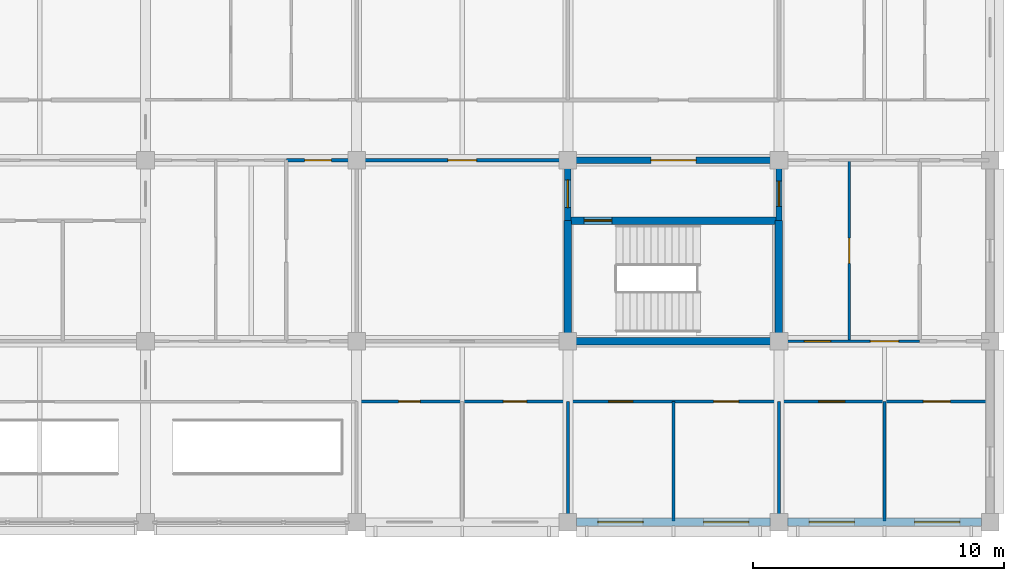
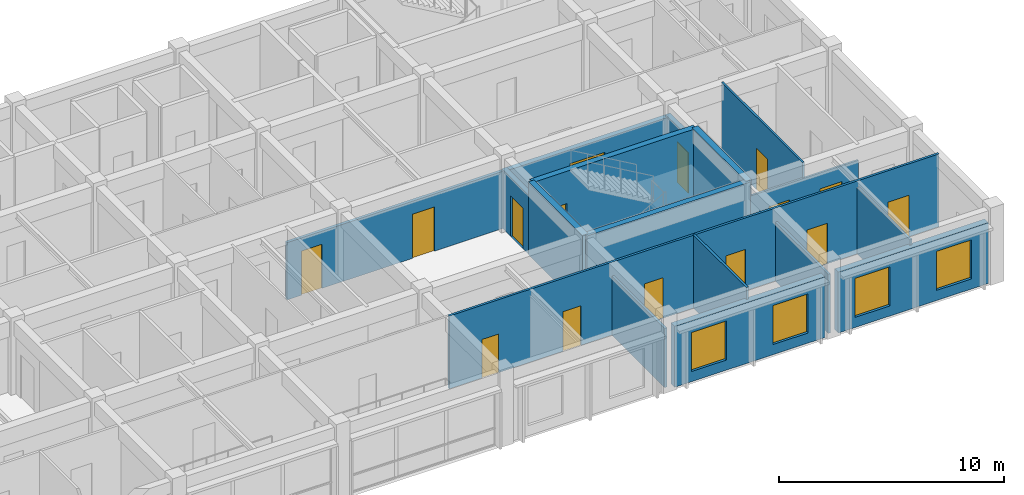
# One storey, part 12 of 17: 17 walls, 15 doors, 4 windows, 19 openings.
"""IFC4 building model written with IfcOpenShell, lengths in metres."""

import ifcopenshell
import ifcopenshell.guid

model = None  # the IFC model being written
_history = None  # IfcOwnerHistory: only IFC2X3 demands one
_inside = {}  # id of a spatial element -> (the spatial element, [elements in it])
_under = {}  # id of a project, library or spatial element -> (it, [spatial elements below it])
_declared = {}  # id of a project -> (the project, [libraries it declares])
_typed = {}  # id of a type object -> (the type object, [elements of that type])
_made_of = {}  # id of a material, layer set ... -> (it, [elements and type objects made of it])


def new_model(schema):
    """Start an empty IFC model of exactly this schema.

    Asked for "IFC4X3", IfcOpenShell would pick the latest addendum, in which some entities
    have other attributes; the version numbers below select the first issue.
    IFC2X3 requires an IfcOwnerHistory on every rooted entity: one is made here for all.
    """
    global model, _history
    if schema == "IFC4X3":
        model = ifcopenshell.file(schema_version=(4, 3, 0, 0))
    else:
        model = ifcopenshell.file(schema=schema)
    _inside.clear()
    _under.clear()
    _declared.clear()
    _typed.clear()
    _made_of.clear()
    _history = None
    if model.schema == "IFC2X3":
        org = make("IfcOrganization", Name="unknown")
        user = make(
            "IfcPersonAndOrganization",
            ThePerson=make("IfcPerson", FamilyName="unknown"),
            TheOrganization=org,
        )
        app = make(
            "IfcApplication",
            ApplicationDeveloper=org,
            Version="unknown",
            ApplicationFullName="unknown",
            ApplicationIdentifier="unknown",
        )
        _history = make(
            "IfcOwnerHistory",
            OwningUser=user,
            OwningApplication=app,
            ChangeAction="ADDED",
            CreationDate=0,
        )
    return model


def make(cls, **values):
    """One entity of the class cls with the attributes given. An attribute that is None is left unset."""
    return model.create_entity(
        cls, **{name: value for name, value in values.items() if value is not None}
    )


def rooted(cls, **values):
    """An entity with a GlobalId (a new one), such as an element, a storey or a relation."""
    return make(cls, GlobalId=ifcopenshell.guid.new(), OwnerHistory=_history, **values)


def si_unit(unit_type, name, prefix=None):
    """IfcSIUnit, for example si_unit("LENGTHUNIT", "METRE", prefix="MILLI")."""
    return make("IfcSIUnit", UnitType=unit_type, Prefix=prefix, Name=name)


def assignment(units):
    """IfcUnitAssignment: the units of a project."""
    return None if units is None else make("IfcUnitAssignment", Units=units)


def point(xyz):
    """IfcCartesianPoint."""
    return None if xyz is None else make("IfcCartesianPoint", Coordinates=xyz)


def direction(xyz):
    """IfcDirection."""
    return None if xyz is None else make("IfcDirection", DirectionRatios=xyz)


def frame(location, z_axis=None, x_axis=None):
    """IfcAxis2Placement3D, a coordinate frame: its origin and axes. An axis left out is left unset."""
    return make(
        "IfcAxis2Placement3D",
        Location=point(location),
        Axis=direction(z_axis),
        RefDirection=direction(x_axis),
    )


def frame_2d(location, x_axis=None):
    """IfcAxis2Placement2D, a coordinate frame in the plane: its origin and x axis."""
    return make(
        "IfcAxis2Placement2D", Location=point(location), RefDirection=direction(x_axis)
    )


def origin():
    """The frame at (0, 0, 0) with its axes left unset."""
    return frame((0.0, 0.0, 0.0))


def place(relative_to, where):
    """IfcLocalPlacement: puts the frame where relative to a parent placement (None: the world)."""
    return make(
        "IfcLocalPlacement", PlacementRelTo=relative_to, RelativePlacement=where
    )


def context(
    kind, dimensions, precision=None, world=None, true_north=None, identifier=None
):
    """IfcGeometricRepresentationContext, for example the 3D "Model" context."""
    return make(
        "IfcGeometricRepresentationContext",
        ContextIdentifier=identifier,
        ContextType=kind,
        CoordinateSpaceDimension=dimensions,
        Precision=precision,
        WorldCoordinateSystem=world,
        TrueNorth=true_north,
    )


def subcontext(parent, identifier, kind, view, scale=None):
    """IfcGeometricRepresentationSubContext, for example "Body" below "Model"."""
    return make(
        "IfcGeometricRepresentationSubContext",
        ContextIdentifier=identifier,
        ContextType=kind,
        ParentContext=parent,
        TargetScale=scale,
        TargetView=view,
    )


def project(units=None, contexts=None):
    """IfcProject with its units and contexts."""
    return rooted(
        "IfcProject",
        Name="project",
        RepresentationContexts=contexts,
        UnitsInContext=assignment(units),
    )


def spatial(cls, under=None, at=None, **own):
    """A site, building, storey or space (cls), placed at a placement, below another one or the project."""
    s = rooted(cls, ObjectPlacement=at, **own)
    if under is not None:
        _under.setdefault(under.id(), (under, []))[1].append(s)
    return s


def profile(cls, at=None, kind="AREA", **sizes):
    """A parametric profile (cls). Its sizes go by their IFC names, for example OverallWidth=200.0."""
    return make(cls, ProfileType=kind, Position=at, **sizes)


def rectangle(**sizes):
    """IfcRectangleProfileDef."""
    return profile("IfcRectangleProfileDef", **sizes)


def extrude(swept, where, along, depth):
    """IfcExtrudedAreaSolid: the profile swept, set in the frame where, extruded along a direction by depth."""
    return make(
        "IfcExtrudedAreaSolid",
        SweptArea=swept,
        Position=where,
        ExtrudedDirection=direction(along),
        Depth=depth,
    )


def shape(context_of_items, identifier, shape_type, items):
    """IfcShapeRepresentation: the items that make up one representation, for example the "Body"."""
    return make(
        "IfcShapeRepresentation",
        ContextOfItems=context_of_items,
        RepresentationIdentifier=identifier,
        RepresentationType=shape_type,
        Items=items,
    )


def material(Name=None, Category=None):
    """IfcMaterial."""
    return make("IfcMaterial", Name=Name, Category=Category)


def layer(
    of_material, thickness, ventilated=None, Name=None, Category=None, Priority=None
):
    """IfcMaterialLayer: one layer of a wall or slab, of a material (None: an air gap)."""
    return make(
        "IfcMaterialLayer",
        Material=of_material,
        LayerThickness=thickness,
        IsVentilated=ventilated,
        Name=Name,
        Category=Category,
        Priority=Priority,
    )


def layer_set(layers, Name=None):
    """IfcMaterialLayerSet."""
    return make("IfcMaterialLayerSet", MaterialLayers=layers, LayerSetName=Name)


def made_of(thing, what):
    """Note that an element or type object is made of a material, layer set ...; save() writes the relation."""
    if what is not None:
        _made_of.setdefault(what.id(), (what, []))[1].append(thing)
    return thing


def type_object(cls, material=None, **own):
    """A type object (cls), such as IfcWallType, which elements share."""
    return made_of(rooted(cls, **own), material)


def element(
    cls,
    number,
    at=None,
    inside=None,
    cuts=None,
    type_object=None,
    material=None,
    context=None,
    identifier="Body",
    shape_type=None,
    held_by="IfcProductDefinitionShape",
    body=None,
    shapes=None,
    **own,
):
    """One element of the class cls, such as IfcWall. Its Tag is "e" and its number.

    at: its placement. inside: the storey or other place that contains it. cuts: it is an
    opening in that element (IfcRelVoidsElement). A single representation is given by context,
    identifier, shape_type and body (its items); several are given by shapes. held_by: the class
    of the entity that holds the representations. save() writes the other relations.
    """
    e = rooted(cls, Tag="e%d" % number, ObjectPlacement=at, **own)
    if body is not None:
        shapes = [shape(context, identifier, shape_type, body)]
    if shapes is not None:
        e.Representation = make(held_by, Representations=shapes)
    if inside is not None:
        _inside.setdefault(inside.id(), (inside, []))[1].append(e)
    if cuts is not None:
        rooted(
            "IfcRelVoidsElement", RelatingBuildingElement=cuts, RelatedOpeningElement=e
        )
    if type_object is not None:
        _typed.setdefault(type_object.id(), (type_object, []))[1].append(e)
    return made_of(e, material)


def fill(opening, filler):
    """IfcRelFillsElement: the door or window that sits in an opening."""
    return rooted(
        "IfcRelFillsElement",
        RelatingOpeningElement=opening,
        RelatedBuildingElement=filler,
    )


def aggregate(whole, parts):
    """IfcRelAggregates: a whole, such as a stair, and the parts it consists of."""
    return rooted("IfcRelAggregates", RelatingObject=whole, RelatedObjects=parts)


def save(model, path):
    """Write the relations noted so far, then the file.

    IfcRelAggregates (storeys below a building ...), IfcRelContainedInSpatialStructure (elements
    in a storey), IfcRelDefinesByType, IfcRelAssociatesMaterial and IfcRelDeclares: one each for
    every whole, place, type object, material and project.
    """
    for whole, parts in _under.values():
        aggregate(whole, parts)
    for where, things in _inside.values():
        rooted(
            "IfcRelContainedInSpatialStructure",
            RelatedElements=things,
            RelatingStructure=where,
        )
    for kind, things in _typed.values():
        rooted("IfcRelDefinesByType", RelatedObjects=things, RelatingType=kind)
    for what, things in _made_of.values():
        rooted("IfcRelAssociatesMaterial", RelatedObjects=things, RelatingMaterial=what)
    for by, libraries in _declared.values():
        rooted("IfcRelDeclares", RelatingContext=by, RelatedDefinitions=libraries)
    model.write(path)


model = new_model("IFC4")

# Units and contexts
model_context = context("Model", 3, precision=1e-05, world=origin(), true_north=direction((0.0, 1.0)))
body_context = subcontext(model_context, "Body", "Model", "MODEL_VIEW")
ifc_project = project(units=[si_unit("LENGTHUNIT", "METRE"), si_unit("AREAUNIT", "SQUARE_METRE"), si_unit("VOLUMEUNIT", "CUBIC_METRE"), si_unit("PLANEANGLEUNIT", "RADIAN"), si_unit("MASSUNIT", "GRAM", prefix="KILO")], contexts=[model_context])

# Site, building, storey
site_placement = place(None, origin())
site = spatial("IfcSite", under=ifc_project, at=site_placement, CompositionType="ELEMENT")
building_placement = place(site_placement, origin())
building = spatial("IfcBuilding", under=site, at=building_placement, Name="Chengyuan Square Courthouse", CompositionType="ELEMENT")
storey_placement = place(building_placement, frame((0.0, 0.0, 51.89990234375)))
storey = spatial("IfcBuildingStorey", under=building, at=storey_placement, Name="L12", CompositionType="ELEMENT", Elevation=51.89990234375)

# Wall, openings, windows
ifc_material_1 = material(Name="Concrete C40", Category="concrete")
ifc_layer_1 = layer(ifc_material_1, 0.320068359375)
ifc_layer_set_1 = layer_set([ifc_layer_1], Name="Concrete C40")
wall_type_1 = type_object("IfcWallType", Name="WL-EW3", PredefinedType="STANDARD", material=ifc_layer_set_1)
wall_1_placement = place(storey_placement, frame((101.14501953125, 79.199951171875, 0.0), z_axis=(0.0, 0.0, 1.0), x_axis=(1.0, 0.0, 0.0)))
wall_1 = element("IfcWall", 1, at=wall_1_placement, inside=storey, type_object=wall_type_1, Name="Exterior Wall WL-L12-E480", PredefinedType="STANDARD", context=body_context, shape_type="SweptSolid", body=[
    extrude(rectangle(XDim=7.7099609375, YDim=0.320068359375, at=frame_2d((3.85498046875, 0.0))), origin(), (0.0, 0.0, 1.0), 3.31005859375),
])
opening_1_placement = place(wall_1_placement, frame((0.85498046875, 0.0, 0.550048828125)))
opening_1 = element("IfcOpeningElement", 2, at=opening_1_placement, cuts=wall_1, Name="Opening WN-211", PredefinedType="OPENING", context=body_context, shape_type="SweptSolid", body=[
    extrude(rectangle(XDim=1.800048828125, YDim=2.1201171875, at=frame_2d((0.89990234375, 1.06005859375))), frame((0.0, 0.172119140625, 0.0), z_axis=(0.0, -1.0, 0.0), x_axis=(1.0, 0.0, 0.0)), (0.0, 0.0, 1.0), 0.343994140625),
])
opening_2_placement = place(wall_1_placement, frame((5.054931640625, 0.0, 0.550048828125)))
opening_2 = element("IfcOpeningElement", 3, at=opening_2_placement, cuts=wall_1, Name="Opening WN-212", PredefinedType="OPENING", context=body_context, shape_type="SweptSolid", body=[
    extrude(rectangle(XDim=1.800048828125, YDim=2.1201171875, at=frame_2d((0.89990234375, 1.06005859375))), frame((0.0, 0.172119140625, 0.0), z_axis=(0.0, -1.0, 0.0), x_axis=(1.0, 0.0, 0.0)), (0.0, 0.0, 1.0), 0.343994140625),
])
ifc_material_2 = material(Name="Thermally Broken Aluminium Triple Low-E Window", Category="aluminium")
window_type = type_object("IfcWindowType", Name="WT-36", PartitioningType="SINGLE_PANEL", PredefinedType="WINDOW", material=ifc_material_2)
window_1_placement = place(opening_1_placement, origin())
window_1 = element("IfcWindow", 4, at=window_1_placement, inside=storey, type_object=window_type, Name="Facade Window WN-211", OverallHeight=2.1201171875, OverallWidth=1.800048828125, PartitioningType="SINGLE_PANEL", PredefinedType="WINDOW", context=body_context, shape_type="SweptSolid", body=[
    extrude(rectangle(XDim=1.800048828125, YDim=2.1201171875, at=frame_2d((0.89990234375, 1.06005859375))), frame((0.0, 0.030029296875, 0.0), z_axis=(0.0, -1.0, 0.0), x_axis=(1.0, 0.0, 0.0)), (0.0, 0.0, 1.0), 0.06005859375),
])
fill(opening_1, window_1)
window_2_placement = place(opening_2_placement, origin())
window_2 = element("IfcWindow", 5, at=window_2_placement, inside=storey, type_object=window_type, Name="Facade Window WN-212", OverallHeight=2.1201171875, OverallWidth=1.800048828125, PartitioningType="SINGLE_PANEL", PredefinedType="WINDOW", context=body_context, shape_type="SweptSolid", body=[
    extrude(rectangle(XDim=1.800048828125, YDim=2.1201171875, at=frame_2d((0.89990234375, 1.06005859375))), frame((0.0, 0.030029296875, 0.0), z_axis=(0.0, -1.0, 0.0), x_axis=(1.0, 0.0, 0.0)), (0.0, 0.0, 1.0), 0.06005859375),
])
fill(opening_2, window_2)

wall_2_placement = place(storey_placement, frame((109.544921875, 79.199951171875, 0.0), z_axis=(0.0, 0.0, 1.0), x_axis=(1.0, 0.0, 0.0)))
wall_2 = element("IfcWall", 6, at=wall_2_placement, inside=storey, type_object=wall_type_1, Name="Exterior Wall WL-L12-E482", PredefinedType="STANDARD", context=body_context, shape_type="SweptSolid", body=[
    extrude(rectangle(XDim=7.7099609375, YDim=0.320068359375, at=frame_2d((3.85498046875, 0.0))), origin(), (0.0, 0.0, 1.0), 3.31005859375),
])
opening_3_placement = place(wall_2_placement, frame((0.85498046875, 0.0, 0.550048828125)))
opening_3 = element("IfcOpeningElement", 7, at=opening_3_placement, cuts=wall_2, Name="Opening WN-213", PredefinedType="OPENING", context=body_context, shape_type="SweptSolid", body=[
    extrude(rectangle(XDim=1.800048828125, YDim=2.1201171875, at=frame_2d((0.89990234375, 1.06005859375))), frame((0.0, 0.172119140625, 0.0), z_axis=(0.0, -1.0, 0.0), x_axis=(1.0, 0.0, 0.0)), (0.0, 0.0, 1.0), 0.343994140625),
])
opening_4_placement = place(wall_2_placement, frame((5.054931640625, 0.0, 0.550048828125)))
opening_4 = element("IfcOpeningElement", 8, at=opening_4_placement, cuts=wall_2, Name="Opening WN-214", PredefinedType="OPENING", context=body_context, shape_type="SweptSolid", body=[
    extrude(rectangle(XDim=1.800048828125, YDim=2.1201171875, at=frame_2d((0.89990234375, 1.06005859375))), frame((0.0, 0.172119140625, 0.0), z_axis=(0.0, -1.0, 0.0), x_axis=(1.0, 0.0, 0.0)), (0.0, 0.0, 1.0), 0.343994140625),
])
window_3_placement = place(opening_3_placement, origin())
window_3 = element("IfcWindow", 9, at=window_3_placement, inside=storey, type_object=window_type, Name="Facade Window WN-213", OverallHeight=2.1201171875, OverallWidth=1.800048828125, PartitioningType="SINGLE_PANEL", PredefinedType="WINDOW", context=body_context, shape_type="SweptSolid", body=[
    extrude(rectangle(XDim=1.800048828125, YDim=2.1201171875, at=frame_2d((0.89990234375, 1.06005859375))), frame((0.0, 0.030029296875, 0.0), z_axis=(0.0, -1.0, 0.0), x_axis=(1.0, 0.0, 0.0)), (0.0, 0.0, 1.0), 0.06005859375),
])
fill(opening_3, window_3)
window_4_placement = place(opening_4_placement, origin())
window_4 = element("IfcWindow", 10, at=window_4_placement, inside=storey, type_object=window_type, Name="Facade Window WN-214", OverallHeight=2.1201171875, OverallWidth=1.800048828125, PartitioningType="SINGLE_PANEL", PredefinedType="WINDOW", context=body_context, shape_type="SweptSolid", body=[
    extrude(rectangle(XDim=1.800048828125, YDim=2.1201171875, at=frame_2d((0.89990234375, 1.06005859375))), frame((0.0, 0.030029296875, 0.0), z_axis=(0.0, -1.0, 0.0), x_axis=(1.0, 0.0, 0.0)), (0.0, 0.0, 1.0), 0.06005859375),
])
fill(opening_4, window_4)

# Wall, opening, door
ifc_layer_2 = layer(ifc_material_1, 0.25)
ifc_layer_set_2 = layer_set([ifc_layer_2], Name="Concrete C40")
wall_type_2 = type_object("IfcWallType", Name="WL-FW1", PredefinedType="STANDARD", material=ifc_layer_set_2)
wall_3_placement = place(storey_placement, frame((100.800048828125, 93.60009765625, 0.0), z_axis=(0.0, 0.0, 1.0), x_axis=(1.0, 0.0, 0.0)))
wall_3 = element("IfcWall", 11, at=wall_3_placement, inside=storey, type_object=wall_type_2, Name="Interior Wall WL-L12-I3659", PredefinedType="STANDARD", context=body_context, shape_type="SweptSolid", body=[
    extrude(rectangle(XDim=8.39990234375, YDim=0.25, at=frame_2d((4.199951171875, 0.0))), origin(), (0.0, 0.0, 1.0), 3.110107421875),
])
opening_5_placement = place(wall_3_placement, frame((3.300048828125, 0.0, 0.0)))
opening_5 = element("IfcOpeningElement", 12, at=opening_5_placement, cuts=wall_3, Name="Opening DR-3029", PredefinedType="OPENING", context=body_context, shape_type="SweptSolid", body=[
    extrude(rectangle(XDim=1.800048828125, YDim=2.35009765625, at=frame_2d((0.89990234375, 1.175048828125))), frame((0.0, 0.136962890625, 0.0), z_axis=(0.0, -1.0, 0.0), x_axis=(1.0, 0.0, 0.0)), (0.0, 0.0, 1.0), 0.27392578125),
])
ifc_material_3 = material(Name="Steel Q235B Glazed Fire Door", Category="steel")
door_type_1 = type_object("IfcDoorType", Name="DT-18", OperationType="DOUBLE_DOOR_SINGLE_SWING", PredefinedType="DOOR", material=ifc_material_3)
door_1_placement = place(opening_5_placement, frame((1.800048828125, 0.0, 0.0), z_axis=(0.0, 0.0, 1.0), x_axis=(-1.0, 0.0, 0.0)))
door_1 = element("IfcDoor", 13, at=door_1_placement, inside=storey, type_object=door_type_1, Name="Interior Door DR-3029", OperationType="DOUBLE_DOOR_SINGLE_SWING", OverallHeight=2.35009765625, OverallWidth=1.800048828125, PredefinedType="DOOR", context=body_context, shape_type="SweptSolid", body=[
    extrude(rectangle(XDim=1.800048828125, YDim=2.35009765625, at=frame_2d((0.89990234375, 1.175048828125))), frame((0.0, 0.02490234375, 0.0), z_axis=(0.0, -1.0, 0.0), x_axis=(1.0, 0.0, 0.0)), (0.0, 0.0, 1.0), 0.050048828125),
])
fill(opening_5, door_1)

wall_4_placement = place(storey_placement, frame((100.800048828125, 91.199951171875, 0.0), z_axis=(0.0, 0.0, 1.0), x_axis=(0.0, 1.0, 0.0)))
wall_4 = element("IfcWall", 14, at=wall_4_placement, inside=storey, type_object=wall_type_2, Name="Interior Wall WL-L12-I3751", PredefinedType="STANDARD", context=body_context, shape_type="SweptSolid", body=[
    extrude(rectangle(XDim=2.400146484375, YDim=0.25, at=frame_2d((1.2001953125, 0.0))), origin(), (0.0, 0.0, 1.0), 3.210205078125),
])
opening_6_placement = place(wall_4_placement, frame((0.514892578125, 0.0, 0.0)))
opening_6 = element("IfcOpeningElement", 15, at=opening_6_placement, cuts=wall_4, Name="Opening DR-3030", PredefinedType="OPENING", context=body_context, shape_type="SweptSolid", body=[
    extrude(rectangle(XDim=1.10009765625, YDim=2.199951171875, at=frame_2d((0.550048828125, 1.10009765625))), frame((0.0, 0.136962890625, 0.0), z_axis=(0.0, -1.0, 0.0), x_axis=(1.0, 0.0, 0.0)), (0.0, 0.0, 1.0), 0.27392578125),
])
ifc_material_4 = material(Name="Steel Q235B Fire Door", Category="steel")
door_type_2 = type_object("IfcDoorType", Name="DT-10", OperationType="NOTDEFINED", PredefinedType="DOOR", material=ifc_material_4)
door_2_placement = place(opening_6_placement, origin())
door_2 = element("IfcDoor", 16, at=door_2_placement, inside=storey, type_object=door_type_2, Name="Interior Door DR-3030", OperationType="SINGLE_SWING_LEFT", OverallHeight=2.199951171875, OverallWidth=1.10009765625, PredefinedType="DOOR", context=body_context, shape_type="SweptSolid", body=[
    extrude(rectangle(XDim=1.10009765625, YDim=2.199951171875, at=frame_2d((0.550048828125, 1.10009765625))), frame((0.0, 0.02490234375, 0.0), z_axis=(0.0, -1.0, 0.0), x_axis=(1.0, 0.0, 0.0)), (0.0, 0.0, 1.0), 0.050048828125),
])
fill(opening_6, door_2)

wall_5_placement = place(storey_placement, frame((109.199951171875, 91.199951171875, 0.0), z_axis=(0.0, 0.0, 1.0), x_axis=(0.0, 1.0, 0.0)))
wall_5 = element("IfcWall", 17, at=wall_5_placement, inside=storey, type_object=wall_type_2, Name="Interior Wall WL-L12-I3759", PredefinedType="STANDARD", context=body_context, shape_type="SweptSolid", body=[
    extrude(rectangle(XDim=2.400146484375, YDim=0.25, at=frame_2d((1.2001953125, 0.0))), origin(), (0.0, 0.0, 1.0), 3.210205078125),
])
opening_7_placement = place(wall_5_placement, frame((0.56494140625, 0.0, 0.0)))
opening_7 = element("IfcOpeningElement", 18, at=opening_7_placement, cuts=wall_5, Name="Opening DR-3031", PredefinedType="OPENING", context=body_context, shape_type="SweptSolid", body=[
    extrude(rectangle(XDim=1.0, YDim=2.199951171875, at=frame_2d((0.5, 1.10009765625))), frame((0.0, 0.136962890625, 0.0), z_axis=(0.0, -1.0, 0.0), x_axis=(1.0, 0.0, 0.0)), (0.0, 0.0, 1.0), 0.27392578125),
])
door_type_3 = type_object("IfcDoorType", Name="DT-11", OperationType="NOTDEFINED", PredefinedType="DOOR", material=ifc_material_4)
door_3_placement = place(opening_7_placement, origin())
door_3 = element("IfcDoor", 19, at=door_3_placement, inside=storey, type_object=door_type_3, Name="Interior Door DR-3031", OperationType="SINGLE_SWING_RIGHT", OverallHeight=2.199951171875, OverallWidth=1.0, PredefinedType="DOOR", context=body_context, shape_type="SweptSolid", body=[
    extrude(rectangle(XDim=1.0, YDim=2.199951171875, at=frame_2d((0.5, 1.10009765625))), frame((0.0, 0.02490234375, 0.0), z_axis=(0.0, -1.0, 0.0), x_axis=(1.0, 0.0, 0.0)), (0.0, 0.0, 1.0), 0.050048828125),
])
fill(opening_7, door_3)

# Wall, openings, doors
ifc_material_5 = material(Name="Deliberation Room Sound-Insulated Partition")
ifc_layer_3 = layer(ifc_material_5, 0.14990234375)
ifc_layer_set_3 = layer_set([ifc_layer_3], Name="Deliberation Room Sound-Insulated Partition")
wall_type_3 = type_object("IfcWallType", Name="WL-PT3", PredefinedType="STANDARD", material=ifc_layer_set_3)
wall_6_placement = place(storey_placement, frame((89.60009765625, 93.60009765625, 0.0), z_axis=(0.0, 0.0, 1.0), x_axis=(1.0, 0.0, 0.0)))
wall_6 = element("IfcWall", 20, at=wall_6_placement, inside=storey, type_object=wall_type_3, Name="Interior Wall WL-L12-I3658", PredefinedType="STANDARD", context=body_context, shape_type="SweptSolid", body=[
    extrude(rectangle(XDim=11.199951171875, YDim=0.14990234375, at=frame_2d((5.60009765625, 0.0))), origin(), (0.0, 0.0, 1.0), 3.110107421875),
])
opening_8_placement = place(wall_6_placement, frame((0.735107421875, 0.0, 0.0)))
opening_8 = element("IfcOpeningElement", 21, at=opening_8_placement, cuts=wall_6, Name="Opening DR-3080", PredefinedType="OPENING", context=body_context, shape_type="SweptSolid", body=[
    extrude(rectangle(XDim=1.06005859375, YDim=2.39990234375, at=frame_2d((0.530029296875, 1.199951171875))), frame((0.0, 0.0869140625, 0.0), z_axis=(0.0, -1.0, 0.0), x_axis=(1.0, 0.0, 0.0)), (0.0, 0.0, 1.0), 0.173828125),
])
opening_9_placement = place(wall_6_placement, frame((6.429931640625, 0.0, 0.0)))
opening_9 = element("IfcOpeningElement", 22, at=opening_9_placement, cuts=wall_6, Name="Opening DR-3081", PredefinedType="OPENING", context=body_context, shape_type="SweptSolid", body=[
    extrude(rectangle(XDim=1.139892578125, YDim=2.39990234375, at=frame_2d((0.56982421875, 1.199951171875))), frame((0.0, 0.0869140625, 0.0), z_axis=(0.0, -1.0, 0.0), x_axis=(1.0, 0.0, 0.0)), (0.0, 0.0, 1.0), 0.173828125),
])
ifc_material_6 = material(Name="Acoustic Solid-Core Timber Door", Category="wood")
door_type_4 = type_object("IfcDoorType", Name="DT-42", OperationType="NOTDEFINED", PredefinedType="DOOR", material=ifc_material_6)
door_4_placement = place(opening_8_placement, origin())
door_4 = element("IfcDoor", 23, at=door_4_placement, inside=storey, type_object=door_type_4, Name="Interior Door DR-3080", OperationType="SINGLE_SWING_LEFT", OverallHeight=2.39990234375, OverallWidth=1.06005859375, PredefinedType="DOOR", context=body_context, shape_type="SweptSolid", body=[
    extrude(rectangle(XDim=1.06005859375, YDim=2.39990234375, at=frame_2d((0.530029296875, 1.199951171875))), frame((0.0, 0.02490234375, 0.0), z_axis=(0.0, -1.0, 0.0), x_axis=(1.0, 0.0, 0.0)), (0.0, 0.0, 1.0), 0.050048828125),
])
fill(opening_8, door_4)
door_type_5 = type_object("IfcDoorType", Name="DT-43", OperationType="NOTDEFINED", PredefinedType="DOOR", material=ifc_material_6)
door_5_placement = place(opening_9_placement, origin())
door_5 = element("IfcDoor", 24, at=door_5_placement, inside=storey, type_object=door_type_5, Name="Interior Door DR-3081", OperationType="SINGLE_SWING_RIGHT", OverallHeight=2.39990234375, OverallWidth=1.139892578125, PredefinedType="DOOR", context=body_context, shape_type="SweptSolid", body=[
    extrude(rectangle(XDim=1.139892578125, YDim=2.39990234375, at=frame_2d((0.56982421875, 1.199951171875))), frame((0.0, 0.02490234375, 0.0), z_axis=(0.0, -1.0, 0.0), x_axis=(1.0, 0.0, 0.0)), (0.0, 0.0, 1.0), 0.050048828125),
])
fill(opening_9, door_5)

ifc_material_7 = material(Name="Judges Chambers Gypsum Stud Partition")
ifc_layer_4 = layer(ifc_material_7, 0.1201171875)
ifc_layer_set_4 = layer_set([ifc_layer_4], Name="Judges Chambers Gypsum Stud Partition")
wall_type_4 = type_object("IfcWallType", Name="WL-PT5", PredefinedType="STANDARD", material=ifc_layer_set_4)
wall_7_placement = place(storey_placement, frame((92.39990234375, 84.0, 0.0), z_axis=(0.0, 0.0, 1.0), x_axis=(1.0, 0.0, 0.0)))
wall_7 = element("IfcWall", 25, at=wall_7_placement, inside=storey, type_object=wall_type_4, Name="Interior Wall WL-L12-I3639", PredefinedType="STANDARD", context=body_context, shape_type="SweptSolid", body=[
    extrude(rectangle(XDim=25.16015625, YDim=0.1201171875, at=frame_2d((12.580078125, 0.0))), origin(), (0.0, 0.0, 1.0), 3.960205078125),
])
opening_10_placement = place(wall_7_placement, frame((1.669921875, 0.0, 0.0)))
opening_10 = element("IfcOpeningElement", 26, at=opening_10_placement, cuts=wall_7, Name="Opening DR-3117", PredefinedType="OPENING", context=body_context, shape_type="SweptSolid", body=[
    extrude(rectangle(XDim=0.860107421875, YDim=2.10009765625, at=frame_2d((0.43017578125, 1.050048828125))), frame((0.0, 0.072021484375, 0.0), z_axis=(0.0, -1.0, 0.0), x_axis=(1.0, 0.0, 0.0)), (0.0, 0.0, 1.0), 0.14404296875),
])
opening_11_placement = place(wall_7_placement, frame((5.840087890625, 0.0, 0.0)))
opening_11 = element("IfcOpeningElement", 27, at=opening_11_placement, cuts=wall_7, Name="Opening DR-3118", PredefinedType="OPENING", context=body_context, shape_type="SweptSolid", body=[
    extrude(rectangle(XDim=0.919921875, YDim=2.14990234375, at=frame_2d((0.4599609375, 1.074951171875))), frame((0.0, 0.072021484375, 0.0), z_axis=(0.0, -1.0, 0.0), x_axis=(1.0, 0.0, 0.0)), (0.0, 0.0, 1.0), 0.14404296875),
])
opening_12_placement = place(wall_7_placement, frame((10.02001953125, 0.0, 0.0)))
opening_12 = element("IfcOpeningElement", 28, at=opening_12_placement, cuts=wall_7, Name="Opening DR-3119", PredefinedType="OPENING", context=body_context, shape_type="SweptSolid", body=[
    extrude(rectangle(XDim=0.9599609375, YDim=2.199951171875, at=frame_2d((0.47998046875, 1.10009765625))), frame((0.0, 0.072021484375, 0.0), z_axis=(0.0, -1.0, 0.0), x_axis=(1.0, 0.0, 0.0)), (0.0, 0.0, 1.0), 0.14404296875),
])
opening_13_placement = place(wall_7_placement, frame((14.199951171875, 0.0, 0.0)))
opening_13 = element("IfcOpeningElement", 29, at=opening_13_placement, cuts=wall_7, Name="Opening DR-3120", PredefinedType="OPENING", context=body_context, shape_type="SweptSolid", body=[
    extrude(rectangle(XDim=1.0, YDim=2.25, at=frame_2d((0.5, 1.125))), frame((0.0, 0.072021484375, 0.0), z_axis=(0.0, -1.0, 0.0), x_axis=(1.0, 0.0, 0.0)), (0.0, 0.0, 1.0), 0.14404296875),
])
opening_14_placement = place(wall_7_placement, frame((18.3798828125, 0.0, 0.0)))
opening_14 = element("IfcOpeningElement", 30, at=opening_14_placement, cuts=wall_7, Name="Opening DR-3121", PredefinedType="OPENING", context=body_context, shape_type="SweptSolid", body=[
    extrude(rectangle(XDim=1.0400390625, YDim=2.199951171875, at=frame_2d((0.52001953125, 1.10009765625))), frame((0.0, 0.072021484375, 0.0), z_axis=(0.0, -1.0, 0.0), x_axis=(1.0, 0.0, 0.0)), (0.0, 0.0, 1.0), 0.14404296875),
])
opening_15_placement = place(wall_7_placement, frame((22.5400390625, 0.0, 0.0)))
opening_15 = element("IfcOpeningElement", 31, at=opening_15_placement, cuts=wall_7, Name="Opening DR-3122", PredefinedType="OPENING", context=body_context, shape_type="SweptSolid", body=[
    extrude(rectangle(XDim=1.080078125, YDim=2.25, at=frame_2d((0.5400390625, 1.125))), frame((0.0, 0.072021484375, 0.0), z_axis=(0.0, -1.0, 0.0), x_axis=(1.0, 0.0, 0.0)), (0.0, 0.0, 1.0), 0.14404296875),
])
door_type_6 = type_object("IfcDoorType", Name="DT-28", OperationType="NOTDEFINED", PredefinedType="DOOR", material=ifc_material_6)
door_6_placement = place(opening_10_placement, origin())
door_6 = element("IfcDoor", 32, at=door_6_placement, inside=storey, type_object=door_type_6, Name="Interior Door DR-3117", OperationType="SINGLE_SWING_RIGHT", OverallHeight=2.10009765625, OverallWidth=0.860107421875, PredefinedType="DOOR", context=body_context, shape_type="SweptSolid", body=[
    extrude(rectangle(XDim=0.860107421875, YDim=2.10009765625, at=frame_2d((0.43017578125, 1.050048828125))), frame((0.0, 0.02490234375, 0.0), z_axis=(0.0, -1.0, 0.0), x_axis=(1.0, 0.0, 0.0)), (0.0, 0.0, 1.0), 0.050048828125),
])
fill(opening_10, door_6)
door_type_7 = type_object("IfcDoorType", Name="DT-29", OperationType="NOTDEFINED", PredefinedType="DOOR", material=ifc_material_6)
door_7_placement = place(opening_11_placement, origin())
door_7 = element("IfcDoor", 33, at=door_7_placement, inside=storey, type_object=door_type_7, Name="Interior Door DR-3118", OperationType="SINGLE_SWING_LEFT", OverallHeight=2.14990234375, OverallWidth=0.919921875, PredefinedType="DOOR", context=body_context, shape_type="SweptSolid", body=[
    extrude(rectangle(XDim=0.919921875, YDim=2.14990234375, at=frame_2d((0.4599609375, 1.074951171875))), frame((0.0, 0.02490234375, 0.0), z_axis=(0.0, -1.0, 0.0), x_axis=(1.0, 0.0, 0.0)), (0.0, 0.0, 1.0), 0.050048828125),
])
fill(opening_11, door_7)
door_type_8 = type_object("IfcDoorType", Name="DT-30", OperationType="NOTDEFINED", PredefinedType="DOOR", material=ifc_material_6)
door_8_placement = place(opening_12_placement, origin())
door_8 = element("IfcDoor", 34, at=door_8_placement, inside=storey, type_object=door_type_8, Name="Interior Door DR-3119", OperationType="SINGLE_SWING_RIGHT", OverallHeight=2.199951171875, OverallWidth=0.9599609375, PredefinedType="DOOR", context=body_context, shape_type="SweptSolid", body=[
    extrude(rectangle(XDim=0.9599609375, YDim=2.199951171875, at=frame_2d((0.47998046875, 1.10009765625))), frame((0.0, 0.02490234375, 0.0), z_axis=(0.0, -1.0, 0.0), x_axis=(1.0, 0.0, 0.0)), (0.0, 0.0, 1.0), 0.050048828125),
])
fill(opening_12, door_8)
door_type_9 = type_object("IfcDoorType", Name="DT-31", OperationType="NOTDEFINED", PredefinedType="DOOR", material=ifc_material_6)
door_9_placement = place(opening_13_placement, origin())
door_9 = element("IfcDoor", 35, at=door_9_placement, inside=storey, type_object=door_type_9, Name="Interior Door DR-3120", OperationType="SINGLE_SWING_LEFT", OverallHeight=2.25, OverallWidth=1.0, PredefinedType="DOOR", context=body_context, shape_type="SweptSolid", body=[
    extrude(rectangle(XDim=1.0, YDim=2.25, at=frame_2d((0.5, 1.125))), frame((0.0, 0.02490234375, 0.0), z_axis=(0.0, -1.0, 0.0), x_axis=(1.0, 0.0, 0.0)), (0.0, 0.0, 1.0), 0.050048828125),
])
fill(opening_13, door_9)
door_type_10 = type_object("IfcDoorType", Name="DT-32", OperationType="NOTDEFINED", PredefinedType="DOOR", material=ifc_material_6)
door_10_placement = place(opening_14_placement, origin())
door_10 = element("IfcDoor", 36, at=door_10_placement, inside=storey, type_object=door_type_10, Name="Interior Door DR-3121", OperationType="SINGLE_SWING_RIGHT", OverallHeight=2.199951171875, OverallWidth=1.0400390625, PredefinedType="DOOR", context=body_context, shape_type="SweptSolid", body=[
    extrude(rectangle(XDim=1.0400390625, YDim=2.199951171875, at=frame_2d((0.52001953125, 1.10009765625))), frame((0.0, 0.02490234375, 0.0), z_axis=(0.0, -1.0, 0.0), x_axis=(1.0, 0.0, 0.0)), (0.0, 0.0, 1.0), 0.050048828125),
])
fill(opening_14, door_10)
door_type_11 = type_object("IfcDoorType", Name="DT-33", OperationType="NOTDEFINED", PredefinedType="DOOR", material=ifc_material_6)
door_11_placement = place(opening_15_placement, origin())
door_11 = element("IfcDoor", 37, at=door_11_placement, inside=storey, type_object=door_type_11, Name="Interior Door DR-3122", OperationType="SINGLE_SWING_LEFT", OverallHeight=2.25, OverallWidth=1.080078125, PredefinedType="DOOR", context=body_context, shape_type="SweptSolid", body=[
    extrude(rectangle(XDim=1.080078125, YDim=2.25, at=frame_2d((0.5400390625, 1.125))), frame((0.0, 0.02490234375, 0.0), z_axis=(0.0, -1.0, 0.0), x_axis=(1.0, 0.0, 0.0)), (0.0, 0.0, 1.0), 0.050048828125),
])
fill(opening_15, door_11)

# Walls
wall_8_placement = place(storey_placement, frame((100.800048828125, 79.239990234375, 0.0), z_axis=(0.0, 0.0, 1.0), x_axis=(0.0, 1.0, 0.0)))
element("IfcWall", 38, at=wall_8_placement, inside=storey, type_object=wall_type_4, Name="Interior Wall WL-L12-I3749", PredefinedType="STANDARD", context=body_context, shape_type="SweptSolid", body=[
    extrude(rectangle(XDim=4.760009765625, YDim=0.1201171875, at=frame_2d((2.3798828125, 0.0))), origin(), (0.0, 0.0, 1.0), 3.210205078125),
])
wall_9_placement = place(storey_placement, frame((105.0, 79.239990234375, 0.0), z_axis=(0.0, 0.0, 1.0), x_axis=(0.0, 1.0, 0.0)))
element("IfcWall", 39, at=wall_9_placement, inside=storey, type_object=wall_type_4, Name="Interior Wall WL-L12-I3756", PredefinedType="STANDARD", context=body_context, shape_type="SweptSolid", body=[
    extrude(rectangle(XDim=4.760009765625, YDim=0.1201171875, at=frame_2d((2.3798828125, 0.0))), origin(), (0.0, 0.0, 1.0), 3.960205078125),
])
wall_10_placement = place(storey_placement, frame((109.199951171875, 79.239990234375, 0.0), z_axis=(0.0, 0.0, 1.0), x_axis=(0.0, 1.0, 0.0)))
element("IfcWall", 40, at=wall_10_placement, inside=storey, type_object=wall_type_4, Name="Interior Wall WL-L12-I3757", PredefinedType="STANDARD", context=body_context, shape_type="SweptSolid", body=[
    extrude(rectangle(XDim=4.760009765625, YDim=0.1201171875, at=frame_2d((2.3798828125, 0.0))), origin(), (0.0, 0.0, 1.0), 3.210205078125),
])
wall_11_placement = place(storey_placement, frame((113.39990234375, 79.239990234375, 0.0), z_axis=(0.0, 0.0, 1.0), x_axis=(0.0, 1.0, 0.0)))
element("IfcWall", 41, at=wall_11_placement, inside=storey, type_object=wall_type_4, Name="Interior Wall WL-L12-I3765", PredefinedType="STANDARD", context=body_context, shape_type="SweptSolid", body=[
    extrude(rectangle(XDim=4.760009765625, YDim=0.1201171875, at=frame_2d((2.3798828125, 0.0))), origin(), (0.0, 0.0, 1.0), 3.610107421875),
])

# Wall, openings, doors
ifc_material_8 = material(Name="Gypsum Plasterboard Acoustic Stud Partition")
ifc_layer_5 = layer(ifc_material_8, 0.10009765625)
ifc_layer_set_5 = layer_set([ifc_layer_5], Name="Gypsum Plasterboard Acoustic Stud Partition")
wall_type_5 = type_object("IfcWallType", Name="WL-PT6", PredefinedType="STANDARD", material=ifc_layer_set_5)
wall_12_placement = place(storey_placement, frame((109.199951171875, 86.39990234375, 0.0), z_axis=(0.0, 0.0, 1.0), x_axis=(1.0, 0.0, 0.0)))
wall_12 = element("IfcWall", 42, at=wall_12_placement, inside=storey, type_object=wall_type_5, Name="Interior Wall WL-L12-I3648", PredefinedType="STANDARD", context=body_context, shape_type="SweptSolid", body=[
    extrude(rectangle(XDim=5.60009765625, YDim=0.10009765625, at=frame_2d((2.800048828125, 0.0))), origin(), (0.0, 0.0, 1.0), 3.110107421875),
])
opening_16_placement = place(wall_12_placement, frame((1.014892578125, 0.0, 0.0)))
opening_16 = element("IfcOpeningElement", 43, at=opening_16_placement, cuts=wall_12, Name="Opening DR-3104", PredefinedType="OPENING", context=body_context, shape_type="SweptSolid", body=[
    extrude(rectangle(XDim=1.0400390625, YDim=2.199951171875, at=frame_2d((0.52001953125, 1.10009765625))), frame((0.0, 0.06201171875, 0.0), z_axis=(0.0, -1.0, 0.0), x_axis=(1.0, 0.0, 0.0)), (0.0, 0.0, 1.0), 0.1240234375),
])
opening_17_placement = place(wall_12_placement, frame((3.639892578125, 0.0, 0.0)))
opening_17 = element("IfcOpeningElement", 44, at=opening_17_placement, cuts=wall_12, Name="Opening DR-3106", PredefinedType="OPENING", context=body_context, shape_type="SweptSolid", body=[
    extrude(rectangle(XDim=1.1201171875, YDim=2.25, at=frame_2d((0.56005859375, 1.125))), frame((0.0, 0.06201171875, 0.0), z_axis=(0.0, -1.0, 0.0), x_axis=(1.0, 0.0, 0.0)), (0.0, 0.0, 1.0), 0.1240234375),
])
door_12_placement = place(opening_16_placement, origin())
door_12 = element("IfcDoor", 45, at=door_12_placement, inside=storey, type_object=door_type_10, Name="Interior Door DR-3104", OperationType="SINGLE_SWING_LEFT", OverallHeight=2.199951171875, OverallWidth=1.0400390625, PredefinedType="DOOR", context=body_context, shape_type="SweptSolid", body=[
    extrude(rectangle(XDim=1.0400390625, YDim=2.199951171875, at=frame_2d((0.52001953125, 1.10009765625))), frame((0.0, 0.02490234375, 0.0), z_axis=(0.0, -1.0, 0.0), x_axis=(1.0, 0.0, 0.0)), (0.0, 0.0, 1.0), 0.050048828125),
])
fill(opening_16, door_12)
door_type_12 = type_object("IfcDoorType", Name="DT-34", OperationType="NOTDEFINED", PredefinedType="DOOR", material=ifc_material_6)
door_13_placement = place(opening_17_placement, origin())
door_13 = element("IfcDoor", 46, at=door_13_placement, inside=storey, type_object=door_type_12, Name="Interior Door DR-3106", OperationType="SINGLE_SWING_LEFT", OverallHeight=2.25, OverallWidth=1.1201171875, PredefinedType="DOOR", context=body_context, shape_type="SweptSolid", body=[
    extrude(rectangle(XDim=1.1201171875, YDim=2.25, at=frame_2d((0.56005859375, 1.125))), frame((0.0, 0.02490234375, 0.0), z_axis=(0.0, -1.0, 0.0), x_axis=(1.0, 0.0, 0.0)), (0.0, 0.0, 1.0), 0.050048828125),
])
fill(opening_17, door_13)

# Wall, opening, door
wall_13_placement = place(storey_placement, frame((112.0, 86.39990234375, 0.0), z_axis=(0.0, 0.0, 1.0), x_axis=(0.0, 1.0, 0.0)))
wall_13 = element("IfcWall", 47, at=wall_13_placement, inside=storey, type_object=wall_type_5, Name="Interior Wall WL-L12-I3763", PredefinedType="STANDARD", context=body_context, shape_type="SweptSolid", body=[
    extrude(rectangle(XDim=7.2001953125, YDim=0.10009765625, at=frame_2d((3.60009765625, 0.0))), origin(), (0.0, 0.0, 1.0), 3.960205078125),
])
opening_18_placement = place(wall_13_placement, frame((3.10009765625, 0.0, 0.0)))
opening_18 = element("IfcOpeningElement", 48, at=opening_18_placement, cuts=wall_13, Name="Opening DR-3103", PredefinedType="OPENING", context=body_context, shape_type="SweptSolid", body=[
    extrude(rectangle(XDim=1.0, YDim=2.25, at=frame_2d((0.5, 1.125))), frame((0.0, 0.06201171875, 0.0), z_axis=(0.0, -1.0, 0.0), x_axis=(1.0, 0.0, 0.0)), (0.0, 0.0, 1.0), 0.1240234375),
])
door_14_placement = place(opening_18_placement, origin())
door_14 = element("IfcDoor", 49, at=door_14_placement, inside=storey, type_object=door_type_9, Name="Interior Door DR-3103", OperationType="SINGLE_SWING_RIGHT", OverallHeight=2.25, OverallWidth=1.0, PredefinedType="DOOR", context=body_context, shape_type="SweptSolid", body=[
    extrude(rectangle(XDim=1.0, YDim=2.25, at=frame_2d((0.5, 1.125))), frame((0.0, 0.02490234375, 0.0), z_axis=(0.0, -1.0, 0.0), x_axis=(1.0, 0.0, 0.0)), (0.0, 0.0, 1.0), 0.050048828125),
])
fill(opening_18, door_14)

# Wall
ifc_layer_6 = layer(ifc_material_1, 0.300048828125)
ifc_layer_set_6 = layer_set([ifc_layer_6], Name="Concrete C40")
wall_type_6 = type_object("IfcWallType", Name="WL-SW2", PredefinedType="SHEAR", material=ifc_layer_set_6)
wall_14_placement = place(storey_placement, frame((100.800048828125, 86.39990234375, 0.0), z_axis=(0.0, 0.0, 1.0), x_axis=(1.0, 0.0, 0.0)))
element("IfcWall", 50, at=wall_14_placement, inside=storey, type_object=wall_type_6, Name="Interior Wall WL-L12-I3647", PredefinedType="SHEAR", context=body_context, shape_type="SweptSolid", body=[
    extrude(rectangle(XDim=8.39990234375, YDim=0.300048828125, at=frame_2d((4.199951171875, 0.0))), origin(), (0.0, 0.0, 1.0), 3.960205078125),
])

# Wall, opening, door
wall_15_placement = place(storey_placement, frame((100.800048828125, 91.199951171875, 0.0), z_axis=(0.0, 0.0, 1.0), x_axis=(1.0, 0.0, 0.0)))
wall_15 = element("IfcWall", 51, at=wall_15_placement, inside=storey, type_object=wall_type_6, Name="Interior Wall WL-L12-I3652", PredefinedType="SHEAR", context=body_context, shape_type="SweptSolid", body=[
    extrude(rectangle(XDim=8.39990234375, YDim=0.300048828125, at=frame_2d((4.199951171875, 0.0))), origin(), (0.0, 0.0, 1.0), 3.960205078125),
])
opening_19_placement = place(wall_15_placement, frame((0.64990234375, 0.0, 0.0)))
opening_19 = element("IfcOpeningElement", 52, at=opening_19_placement, cuts=wall_15, Name="Opening DR-3019", PredefinedType="OPENING", context=body_context, shape_type="SweptSolid", body=[
    extrude(rectangle(XDim=1.10009765625, YDim=2.199951171875, at=frame_2d((0.550048828125, 1.10009765625))), frame((0.0, 0.162109375, 0.0), z_axis=(0.0, -1.0, 0.0), x_axis=(1.0, 0.0, 0.0)), (0.0, 0.0, 1.0), 0.323974609375),
])
door_15_placement = place(opening_19_placement, frame((1.10009765625, 0.0, 0.0), z_axis=(0.0, 0.0, 1.0), x_axis=(-1.0, 0.0, 0.0)))
door_15 = element("IfcDoor", 53, at=door_15_placement, inside=storey, type_object=door_type_2, Name="Smoke-Proof Stairwell Fire Door ST-4 DR-3019", OperationType="SINGLE_SWING_RIGHT", OverallHeight=2.199951171875, OverallWidth=1.10009765625, PredefinedType="DOOR", context=body_context, shape_type="SweptSolid", body=[
    extrude(rectangle(XDim=1.10009765625, YDim=2.199951171875, at=frame_2d((0.550048828125, 1.10009765625))), frame((0.0, 0.02490234375, 0.0), z_axis=(0.0, -1.0, 0.0), x_axis=(1.0, 0.0, 0.0)), (0.0, 0.0, 1.0), 0.050048828125),
])
fill(opening_19, door_15)

# Walls
for number, where, z_axis, x_axis, name in (
    (54, (100.800048828125, 86.39990234375, 0.0), (0.0, 0.0, 1.0), (0.0, 1.0, 0.0), "Interior Wall WL-L12-I3750"),
    (55, (109.199951171875, 86.39990234375, 0.0), (0.0, 0.0, 1.0), (0.0, 1.0, 0.0), "Interior Wall WL-L12-I3758"),
):
    element("IfcWall", number, at=place(storey_placement, frame(where, z_axis=z_axis, x_axis=x_axis)), inside=storey, type_object=wall_type_6, Name=name, PredefinedType="SHEAR", context=body_context, shape_type="SweptSolid", body=[
        extrude(rectangle(XDim=4.800048828125, YDim=0.300048828125, at=frame_2d((2.39990234375, 0.0))), origin(), (0.0, 0.0, 1.0), 3.960205078125),
    ])

save(model, "model.ifc")
